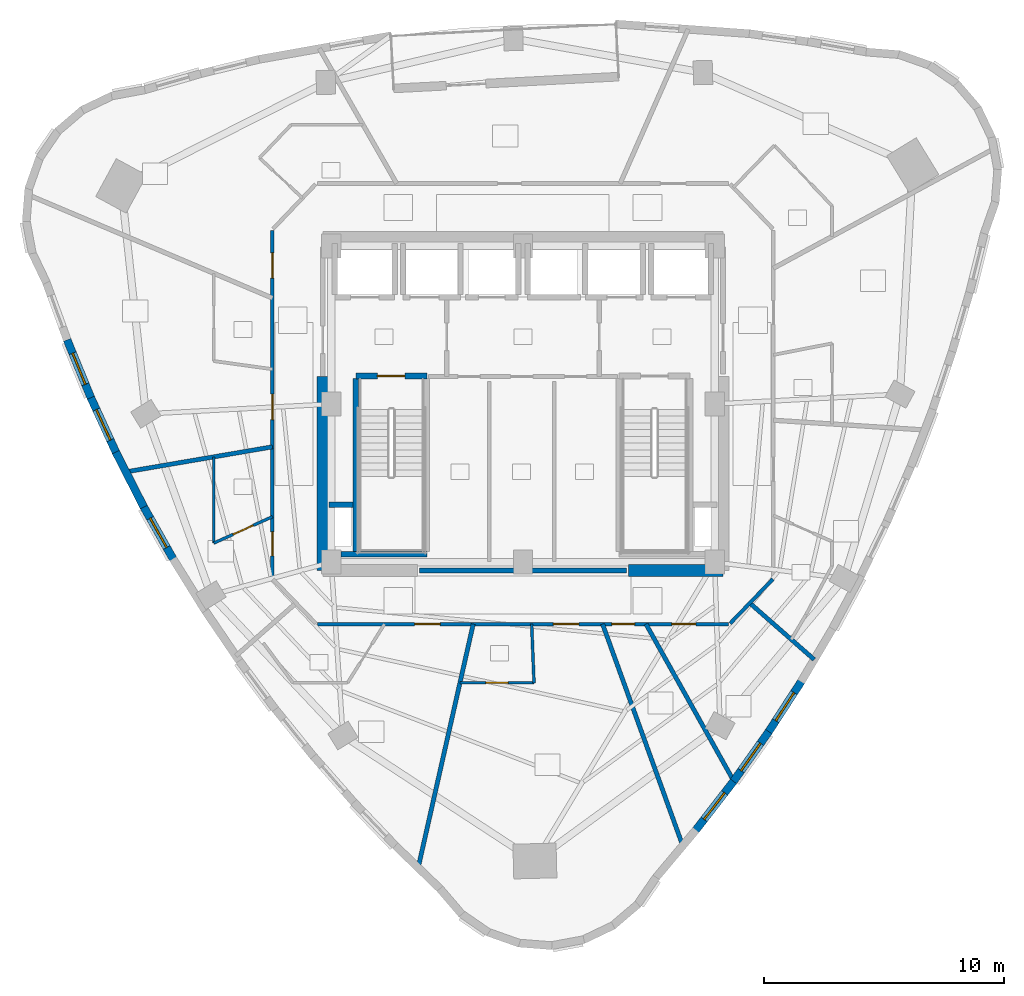
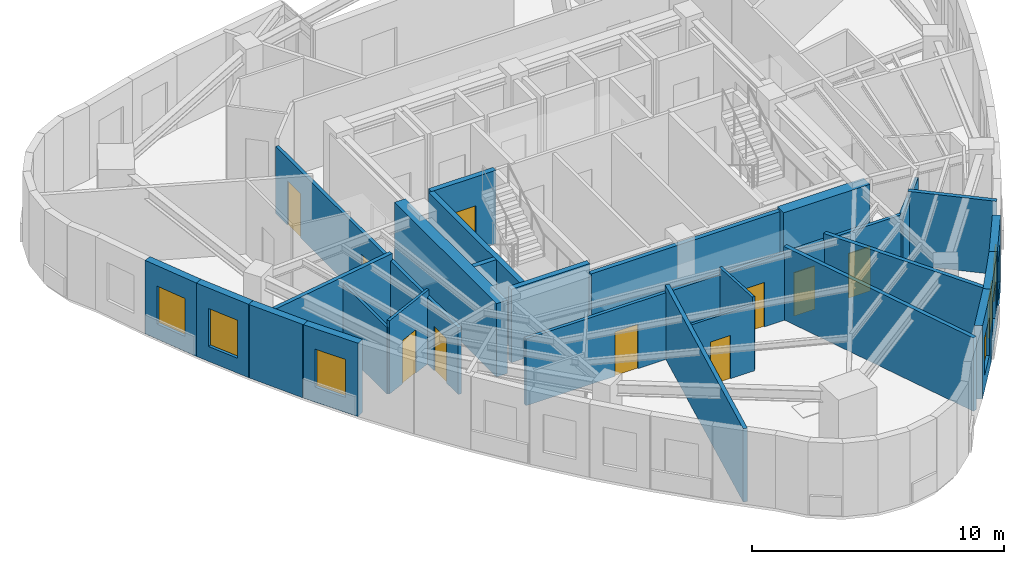
# One storey, part 5 of 11: 26 walls, 10 doors, 6 windows, 16 openings.
"""IFC4 building model written with IfcOpenShell, lengths in metres."""

from ifc_helpers import new_model, si_unit, direction, frame, frame_2d, origin, place, context, subcontext, project, spatial, rectangle, extrude, material, layer, layer_set, type_object, element, fill, save


model = new_model("IFC4")

# Units and contexts
model_context = context("Model", 3, precision=1e-05, world=origin(), true_north=direction((0.0, 1.0)))
body_context = subcontext(model_context, "Body", "Model", "MODEL_VIEW")
ifc_project = project(units=[si_unit("LENGTHUNIT", "METRE"), si_unit("AREAUNIT", "SQUARE_METRE"), si_unit("VOLUMEUNIT", "CUBIC_METRE"), si_unit("PLANEANGLEUNIT", "RADIAN"), si_unit("MASSUNIT", "GRAM", prefix="KILO")], contexts=[model_context])

# Site, building, storey
site_placement = place(None, origin())
site = spatial("IfcSite", under=ifc_project, at=site_placement, CompositionType="ELEMENT")
building_placement = place(site_placement, origin())
building = spatial("IfcBuilding", under=site, at=building_placement, Name="Ndelora Gate Hotel", CompositionType="ELEMENT")
storey_placement = place(building_placement, frame((0.0, 0.0, 224.550048828125)))
storey = spatial("IfcBuildingStorey", under=building, at=storey_placement, Name="L56", CompositionType="ELEMENT", Elevation=224.550048828125)

# Walls
ifc_material_1 = material(Name="Acoustic Double-Stud Gypsum Assembly", Category="gypsum")
ifc_layer_1 = layer(ifc_material_1, 0.179931640625)
ifc_layer_set_1 = layer_set([ifc_layer_1], Name="Acoustic Double-Stud Gypsum Assembly")
wall_type_1 = type_object("IfcWallType", Name="WL-ACOUST-180", PredefinedType="PARTITIONING", material=ifc_layer_set_1)
wall_1_placement = place(storey_placement, frame((9.464111328125, -8.3037109375, 0.0), z_axis=(0.0, 0.0, 1.0), x_axis=(0.751709245101, -0.659494663231, 0.0)))
element("IfcWall", 1, at=wall_1_placement, inside=storey, type_object=wall_type_1, Name="L56 Interior Wall IW-3", PredefinedType="PARTITIONING", context=body_context, shape_type="SweptSolid", body=[
    extrude(rectangle(XDim=3.576904296875, YDim=0.179931640625, at=frame_2d((1.78857421875, 0.0))), origin(), (0.0, 0.0, 1.0), 3.550048828125),
])
wall_2_placement = place(storey_placement, frame((-10.449951171875, -1.7861328125, 0.0), z_axis=(0.0, 0.0, 1.0), x_axis=(-0.985707903362, -0.168463435946, 0.0)))
element("IfcWall", 2, at=wall_2_placement, inside=storey, type_object=wall_type_1, Name="L56 Interior Wall IW-3", PredefinedType="PARTITIONING", context=body_context, shape_type="SweptSolid", body=[
    extrude(rectangle(XDim=6.20263671875, YDim=0.179931640625, at=frame_2d((3.101318359375, 0.0))), origin(), (0.0, 0.0, 1.0), 3.550048828125),
])
wall_3_placement = place(storey_placement, frame((-2.073486328125, -9.179931640625, 0.0), z_axis=(0.0, 0.0, 1.0), x_axis=(-0.220339233084, -0.975423304194, 0.0)))
element("IfcWall", 3, at=wall_3_placement, inside=storey, type_object=wall_type_1, Name="L56 Interior Wall IW-3", PredefinedType="PARTITIONING", context=body_context, shape_type="SweptSolid", body=[
    extrude(rectangle(XDim=10.423095703125, YDim=0.179931640625, at=frame_2d((5.21142578125, 0.0))), origin(), (0.0, 0.0, 1.0), 3.550048828125),
])
wall_4_placement = place(storey_placement, frame((3.322021484375, -9.179931640625, 0.0), z_axis=(0.0, 0.0, 1.0), x_axis=(0.340249588168, -0.940335162456, 0.0)))
element("IfcWall", 4, at=wall_4_placement, inside=storey, type_object=wall_type_1, Name="L56 Interior Wall IW-3", PredefinedType="PARTITIONING", context=body_context, shape_type="SweptSolid", body=[
    extrude(rectangle(XDim=9.833740234375, YDim=0.179931640625, at=frame_2d((4.9169921875, 0.0))), origin(), (0.0, 0.0, 1.0), 3.550048828125),
])
wall_5_placement = place(storey_placement, frame((5.13330078125, -9.179931640625, 0.0), z_axis=(0.0, 0.0, 1.0), x_axis=(0.488070082924, -0.872804442103, 0.0)))
element("IfcWall", 5, at=wall_5_placement, inside=storey, type_object=wall_type_1, Name="L56 Interior Wall IW-3", PredefinedType="PARTITIONING", context=body_context, shape_type="SweptSolid", body=[
    extrude(rectangle(XDim=7.501220703125, YDim=0.179931640625, at=frame_2d((3.75048828125, 0.0))), origin(), (0.0, 0.0, 1.0), 3.550048828125),
])

# Wall, opening, window
ifc_material_2 = material(Name="Clay Brick Masonry", Category="masonry")
ifc_layer_2 = layer(ifc_material_2, 0.330078125)
ifc_layer_set_2 = layer_set([ifc_layer_2], Name="Clay Brick Masonry")
wall_type_2 = type_object("IfcWallType", Name="WL-BRICK-330", PredefinedType="SOLIDWALL", material=ifc_layer_set_2)
wall_6_placement = place(storey_placement, frame((-18.025390625, 0.2626953125, 0.0), z_axis=(0.0, 0.0, 1.0), x_axis=(-0.379601522234, 0.925150087455, 0.0)))
wall_6 = element("IfcWall", 6, at=wall_6_placement, inside=storey, type_object=wall_type_2, Name="L56 Tower Brick Pier-and-Spandrel Wall TWR-10", PredefinedType="SOLIDWALL", context=body_context, shape_type="SweptSolid", body=[
    extrude(rectangle(XDim=2.60986328125, YDim=0.330078125, at=frame_2d((1.304931640625, 0.0))), origin(), (0.0, 0.0, 1.0), 3.550048828125),
])
opening_1_placement = place(wall_6_placement, frame((0.60498046875, 0.0, 0.719970703125)))
opening_1 = element("IfcOpeningElement", 7, at=opening_1_placement, cuts=wall_6, Name="Opening W02", PredefinedType="OPENING", context=body_context, shape_type="SweptSolid", body=[
    extrude(rectangle(XDim=1.39990234375, YDim=1.840087890625, at=frame_2d((0.699951171875, 0.919921875))), frame((0.0, 0.175048828125, 0.0), z_axis=(0.0, -1.0, 0.0), x_axis=(1.0, 0.0, 0.0)), (0.0, 0.0, 1.0), 0.35009765625),
])
ifc_material_3 = material(Name="Insulated Low-E Double Glazing in Bronze Aluminium Frame", Category="aluminium")
window_type = type_object("IfcWindowType", Name="WN-DEEP-1400", PartitioningType="SINGLE_PANEL", PredefinedType="WINDOW", material=ifc_material_3)
window_1_placement = place(opening_1_placement, origin())
window_1 = element("IfcWindow", 8, at=window_1_placement, inside=storey, type_object=window_type, Name="L56 Deep-Set Brick-Pier Window W02", OverallHeight=1.840087890625, OverallWidth=1.39990234375, PartitioningType="SINGLE_PANEL", PredefinedType="WINDOW", context=body_context, shape_type="SweptSolid", body=[
    extrude(rectangle(XDim=1.39990234375, YDim=1.840087890625, at=frame_2d((0.699951171875, 0.919921875))), frame((0.0, 0.030029296875, 0.0), z_axis=(0.0, -1.0, 0.0), x_axis=(1.0, 0.0, 0.0)), (0.0, 0.0, 1.0), 0.06005859375),
])
fill(opening_1, window_1)

wall_7_placement = place(storey_placement, frame((-16.96435546875, -2.0478515625, 0.0), z_axis=(0.0, 0.0, 1.0), x_axis=(-0.41697893771, 0.908916148776, 0.0)))
wall_7 = element("IfcWall", 9, at=wall_7_placement, inside=storey, type_object=wall_type_2, Name="L56 Tower Brick Pier-and-Spandrel Wall TWR-11", PredefinedType="SOLIDWALL", context=body_context, shape_type="SweptSolid", body=[
    extrude(rectangle(XDim=2.592529296875, YDim=0.330078125, at=frame_2d((1.29638671875, 0.0))), origin(), (0.0, 0.0, 1.0), 3.550048828125),
])
opening_2_placement = place(wall_7_placement, frame((0.59619140625, 0.0, 0.719970703125)))
opening_2 = element("IfcOpeningElement", 10, at=opening_2_placement, cuts=wall_7, Name="Opening W02", PredefinedType="OPENING", context=body_context, shape_type="SweptSolid", body=[
    extrude(rectangle(XDim=1.39990234375, YDim=1.840087890625, at=frame_2d((0.699951171875, 0.919921875))), frame((0.0, 0.175048828125, 0.0), z_axis=(0.0, -1.0, 0.0), x_axis=(1.0, 0.0, 0.0)), (0.0, 0.0, 1.0), 0.35009765625),
])
window_2_placement = place(opening_2_placement, origin())
window_2 = element("IfcWindow", 11, at=window_2_placement, inside=storey, type_object=window_type, Name="L56 Deep-Set Brick-Pier Window W02", OverallHeight=1.840087890625, OverallWidth=1.39990234375, PartitioningType="SINGLE_PANEL", PredefinedType="WINDOW", context=body_context, shape_type="SweptSolid", body=[
    extrude(rectangle(XDim=1.39990234375, YDim=1.840087890625, at=frame_2d((0.699951171875, 0.919921875))), frame((0.0, 0.030029296875, 0.0), z_axis=(0.0, -1.0, 0.0), x_axis=(1.0, 0.0, 0.0)), (0.0, 0.0, 1.0), 0.06005859375),
])
fill(opening_2, window_2)

# Wall
wall_8_placement = place(storey_placement, frame((-15.814453125, -4.30078125, 0.0), z_axis=(0.0, 0.0, 1.0), x_axis=(-0.454203650024, 0.890897886576, 0.0)))
element("IfcWall", 12, at=wall_8_placement, inside=storey, type_object=wall_type_2, Name="L56 Tower Brick Pier-and-Spandrel Wall TWR-12", PredefinedType="SOLIDWALL", context=body_context, shape_type="SweptSolid", body=[
    extrude(rectangle(XDim=2.57958984375, YDim=0.330078125, at=frame_2d((1.289794921875, 0.0))), origin(), (0.0, 0.0, 1.0), 3.550048828125),
])

# Wall, opening, window
wall_9_placement = place(storey_placement, frame((-14.576416015625, -6.496337890625, 0.0), z_axis=(0.0, 0.0, 1.0), x_axis=(-0.490851857412, 0.871243051091, 0.0)))
wall_9 = element("IfcWall", 13, at=wall_9_placement, inside=storey, type_object=wall_type_2, Name="L56 Tower Brick Pier-and-Spandrel Wall TWR-13", PredefinedType="SOLIDWALL", context=body_context, shape_type="SweptSolid", body=[
    extrude(rectangle(XDim=2.570556640625, YDim=0.330078125, at=frame_2d((1.28515625, 0.0))), origin(), (0.0, 0.0, 1.0), 3.550048828125),
])
opening_3_placement = place(wall_9_placement, frame((0.585205078125, 0.0, 0.719970703125)))
opening_3 = element("IfcOpeningElement", 14, at=opening_3_placement, cuts=wall_9, Name="Opening W02", PredefinedType="OPENING", context=body_context, shape_type="SweptSolid", body=[
    extrude(rectangle(XDim=1.39990234375, YDim=1.840087890625, at=frame_2d((0.699951171875, 0.919921875))), frame((0.0, 0.175048828125, 0.0), z_axis=(0.0, -1.0, 0.0), x_axis=(1.0, 0.0, 0.0)), (0.0, 0.0, 1.0), 0.35009765625),
])
window_3_placement = place(opening_3_placement, origin())
window_3 = element("IfcWindow", 15, at=window_3_placement, inside=storey, type_object=window_type, Name="L56 Deep-Set Brick-Pier Window W02", OverallHeight=1.840087890625, OverallWidth=1.39990234375, PartitioningType="SINGLE_PANEL", PredefinedType="WINDOW", context=body_context, shape_type="SweptSolid", body=[
    extrude(rectangle(XDim=1.39990234375, YDim=1.840087890625, at=frame_2d((0.699951171875, 0.919921875))), frame((0.0, 0.030029296875, 0.0), z_axis=(0.0, -1.0, 0.0), x_axis=(1.0, 0.0, 0.0)), (0.0, 0.0, 1.0), 0.06005859375),
])
fill(opening_3, window_3)

wall_10_placement = place(storey_placement, frame((8.78515625, -15.74169921875, 0.0), z_axis=(0.0, 0.0, 1.0), x_axis=(-0.611372957331, -0.791342597769, 0.0)))
wall_10 = element("IfcWall", 16, at=wall_10_placement, inside=storey, type_object=wall_type_2, Name="L56 Tower Brick Pier-and-Spandrel Wall TWR-30", PredefinedType="SOLIDWALL", context=body_context, shape_type="SweptSolid", body=[
    extrude(rectangle(XDim=2.610107421875, YDim=0.330078125, at=frame_2d((1.30517578125, 0.0))), origin(), (0.0, 0.0, 1.0), 3.550048828125),
])
opening_4_placement = place(wall_10_placement, frame((0.60498046875, 0.0, 0.719970703125)))
opening_4 = element("IfcOpeningElement", 17, at=opening_4_placement, cuts=wall_10, Name="Opening W02", PredefinedType="OPENING", context=body_context, shape_type="SweptSolid", body=[
    extrude(rectangle(XDim=1.39990234375, YDim=1.840087890625, at=frame_2d((0.699951171875, 0.919921875))), frame((0.0, 0.175048828125, 0.0), z_axis=(0.0, -1.0, 0.0), x_axis=(1.0, 0.0, 0.0)), (0.0, 0.0, 1.0), 0.35009765625),
])
window_4_placement = place(opening_4_placement, origin())
window_4 = element("IfcWindow", 18, at=window_4_placement, inside=storey, type_object=window_type, Name="L56 Deep-Set Brick-Pier Window W02", OverallHeight=1.840087890625, OverallWidth=1.39990234375, PartitioningType="SINGLE_PANEL", PredefinedType="WINDOW", context=body_context, shape_type="SweptSolid", body=[
    extrude(rectangle(XDim=1.39990234375, YDim=1.840087890625, at=frame_2d((0.699951171875, 0.919921875))), frame((0.0, 0.030029296875, 0.0), z_axis=(0.0, -1.0, 0.0), x_axis=(1.0, 0.0, 0.0)), (0.0, 0.0, 1.0), 0.06005859375),
])
fill(opening_4, window_4)

wall_11_placement = place(storey_placement, frame((10.255615234375, -13.66748046875, 0.0), z_axis=(0.0, 0.0, 1.0), x_axis=(-0.578652053692, -0.815574521891, 0.0)))
wall_11 = element("IfcWall", 19, at=wall_11_placement, inside=storey, type_object=wall_type_2, Name="L56 Tower Brick Pier-and-Spandrel Wall TWR-31", PredefinedType="SOLIDWALL", context=body_context, shape_type="SweptSolid", body=[
    extrude(rectangle(XDim=2.5927734375, YDim=0.330078125, at=frame_2d((1.29638671875, 0.0))), origin(), (0.0, 0.0, 1.0), 3.550048828125),
])
opening_5_placement = place(wall_11_placement, frame((0.59619140625, 0.0, 0.719970703125)))
opening_5 = element("IfcOpeningElement", 20, at=opening_5_placement, cuts=wall_11, Name="Opening W02", PredefinedType="OPENING", context=body_context, shape_type="SweptSolid", body=[
    extrude(rectangle(XDim=1.39990234375, YDim=1.840087890625, at=frame_2d((0.699951171875, 0.919921875))), frame((0.0, 0.175048828125, 0.0), z_axis=(0.0, -1.0, 0.0), x_axis=(1.0, 0.0, 0.0)), (0.0, 0.0, 1.0), 0.35009765625),
])
window_5_placement = place(opening_5_placement, origin())
window_5 = element("IfcWindow", 21, at=window_5_placement, inside=storey, type_object=window_type, Name="L56 Deep-Set Brick-Pier Window W02", OverallHeight=1.840087890625, OverallWidth=1.39990234375, PartitioningType="SINGLE_PANEL", PredefinedType="WINDOW", context=body_context, shape_type="SweptSolid", body=[
    extrude(rectangle(XDim=1.39990234375, YDim=1.840087890625, at=frame_2d((0.699951171875, 0.919921875))), frame((0.0, 0.030029296875, 0.0), z_axis=(0.0, -1.0, 0.0), x_axis=(1.0, 0.0, 0.0)), (0.0, 0.0, 1.0), 0.06005859375),
])
fill(opening_5, window_5)

wall_12_placement = place(storey_placement, frame((11.6318359375, -11.54541015625, 0.0), z_axis=(0.0, 0.0, 1.0), x_axis=(-0.544435959457, -0.838802411805, 0.0)))
wall_12 = element("IfcWall", 22, at=wall_12_placement, inside=storey, type_object=wall_type_2, Name="L56 Tower Brick Pier-and-Spandrel Wall TWR-32", PredefinedType="SOLIDWALL", context=body_context, shape_type="SweptSolid", body=[
    extrude(rectangle(XDim=2.579345703125, YDim=0.330078125, at=frame_2d((1.28955078125, 0.0))), origin(), (0.0, 0.0, 1.0), 3.550048828125),
])
opening_6_placement = place(wall_12_placement, frame((0.589599609375, 0.0, 0.719970703125)))
opening_6 = element("IfcOpeningElement", 23, at=opening_6_placement, cuts=wall_12, Name="Opening W02", PredefinedType="OPENING", context=body_context, shape_type="SweptSolid", body=[
    extrude(rectangle(XDim=1.39990234375, YDim=1.840087890625, at=frame_2d((0.699951171875, 0.919921875))), frame((0.0, 0.175048828125, 0.0), z_axis=(0.0, -1.0, 0.0), x_axis=(1.0, 0.0, 0.0)), (0.0, 0.0, 1.0), 0.35009765625),
])
window_6_placement = place(opening_6_placement, origin())
window_6 = element("IfcWindow", 24, at=window_6_placement, inside=storey, type_object=window_type, Name="L56 Deep-Set Brick-Pier Window W02", OverallHeight=1.840087890625, OverallWidth=1.39990234375, PartitioningType="SINGLE_PANEL", PredefinedType="WINDOW", context=body_context, shape_type="SweptSolid", body=[
    extrude(rectangle(XDim=1.39990234375, YDim=1.840087890625, at=frame_2d((0.699951171875, 0.919921875))), frame((0.0, 0.030029296875, 0.0), z_axis=(0.0, -1.0, 0.0), x_axis=(1.0, 0.0, 0.0)), (0.0, 0.0, 1.0), 0.06005859375),
])
fill(opening_6, window_6)

# Walls
ifc_material_4 = material(Name="Concrete C50/60", Category="concrete")
ifc_layer_3 = layer(ifc_material_4, 0.5)
ifc_layer_set_3 = layer_set([ifc_layer_3], Name="Concrete C50/60")
wall_type_3 = type_object("IfcWallType", Name="WL-CORE-500", PredefinedType="SHEAR", material=ifc_layer_set_3)
wall_13_placement = place(storey_placement, frame((4.39990234375, -6.949951171875, 0.0), z_axis=(0.0, 0.0, 1.0), x_axis=(1.0, 0.0, 0.0)))
element("IfcWall", 25, at=wall_13_placement, inside=storey, type_object=wall_type_3, Name="L56 Core Shear Wall S-E", PredefinedType="SHEAR", context=body_context, shape_type="SweptSolid", body=[
    extrude(rectangle(XDim=3.9501953125, YDim=0.5, at=frame_2d((1.97509765625, 0.0))), origin(), (0.0, 0.0, 1.0), 3.550048828125),
])
wall_14_placement = place(storey_placement, frame((-8.35009765625, -6.949951171875, 0.0), z_axis=(0.0, 0.0, 1.0), x_axis=(0.0, 1.0, 0.0)))
element("IfcWall", 26, at=wall_14_placement, inside=storey, type_object=wall_type_3, Name="L56 Core Shear Wall W", PredefinedType="SHEAR", context=body_context, shape_type="SweptSolid", body=[
    extrude(rectangle(XDim=8.099853515625, YDim=0.5, at=frame_2d((4.0498046875, 0.0))), origin(), (0.0, 0.0, 1.0), 3.550048828125),
])
ifc_material_5 = material(Name="Concrete C40/50", Category="concrete")
ifc_layer_4 = layer(ifc_material_5, 0.199951171875)
ifc_layer_set_4 = layer_set([ifc_layer_4], Name="Concrete C40/50")
wall_type_4 = type_object("IfcWallType", Name="WL-FIRE-200", PredefinedType="PARTITIONING", material=ifc_layer_set_4)
wall_15_placement = place(storey_placement, frame((-4.320068359375, -6.949951171875, 0.0), z_axis=(0.0, 0.0, 1.0), x_axis=(1.0, 0.0, 0.0)))
element("IfcWall", 27, at=wall_15_placement, inside=storey, type_object=wall_type_4, Name="L56 Interior Wall IW-2", PredefinedType="PARTITIONING", context=body_context, shape_type="SweptSolid", body=[
    extrude(rectangle(XDim=8.64013671875, YDim=0.199951171875, at=frame_2d((4.320068359375, 0.0))), origin(), (0.0, 0.0, 1.0), 3.550048828125),
])

# Wall, openings, doors
ifc_material_6 = material(Name="Fire-Rated Gypsum Stud Partition", Category="gypsum")
ifc_layer_5 = layer(ifc_material_6, 0.14990234375)
ifc_layer_set_5 = layer_set([ifc_layer_5], Name="Fire-Rated Gypsum Stud Partition")
wall_type_5 = type_object("IfcWallType", Name="WL-PART-150", PredefinedType="PARTITIONING", material=ifc_layer_set_5)
wall_16_placement = place(storey_placement, frame((8.580078125, -9.179931640625, 0.0), z_axis=(0.0, 0.0, 1.0), x_axis=(-1.0, 0.0, 0.0)))
wall_16 = element("IfcWall", 28, at=wall_16_placement, inside=storey, type_object=wall_type_5, Name="L56 Interior Wall IW-5", PredefinedType="PARTITIONING", context=body_context, shape_type="SweptSolid", body=[
    extrude(rectangle(XDim=17.16015625, YDim=0.14990234375, at=frame_2d((8.580078125, 0.0))), origin(), (0.0, 0.0, 1.0), 3.22998046875),
])
opening_7_placement = place(wall_16_placement, frame((3.91552734375, 0.0, 0.0)))
opening_7 = element("IfcOpeningElement", 29, at=opening_7_placement, cuts=wall_16, Name="Opening D05", PredefinedType="OPENING", context=body_context, shape_type="SweptSolid", body=[
    extrude(rectangle(XDim=0.949951171875, YDim=2.10009765625, at=frame_2d((0.47509765625, 1.050048828125))), frame((0.0, 0.0849609375, 0.0), z_axis=(0.0, -1.0, 0.0), x_axis=(1.0, 0.0, 0.0)), (0.0, 0.0, 1.0), 0.169921875),
])
opening_8_placement = place(wall_16_placement, frame((1.36328125, 0.0, 0.0)))
opening_8 = element("IfcOpeningElement", 30, at=opening_8_placement, cuts=wall_16, Name="Opening D01", PredefinedType="OPENING", context=body_context, shape_type="SweptSolid", body=[
    extrude(rectangle(XDim=1.0, YDim=2.14990234375, at=frame_2d((0.5, 1.074951171875))), frame((0.0, 0.0849609375, 0.0), z_axis=(0.0, -1.0, 0.0), x_axis=(1.0, 0.0, 0.0)), (0.0, 0.0, 1.0), 0.169921875),
])
opening_9_placement = place(wall_16_placement, frame((12.0380859375, 0.0, 0.0)))
opening_9 = element("IfcOpeningElement", 31, at=opening_9_placement, cuts=wall_16, Name="Opening D07", PredefinedType="OPENING", context=body_context, shape_type="SweptSolid", body=[
    extrude(rectangle(XDim=1.06005859375, YDim=2.14990234375, at=frame_2d((0.530029296875, 1.074951171875))), frame((0.0, 0.0849609375, 0.0), z_axis=(0.0, -1.0, 0.0), x_axis=(1.0, 0.0, 0.0)), (0.0, 0.0, 1.0), 0.169921875),
])
opening_10_placement = place(wall_16_placement, frame((6.250732421875, 0.0, 0.0)))
opening_10 = element("IfcOpeningElement", 32, at=opening_10_placement, cuts=wall_16, Name="Opening D07", PredefinedType="OPENING", context=body_context, shape_type="SweptSolid", body=[
    extrude(rectangle(XDim=1.06005859375, YDim=2.14990234375, at=frame_2d((0.530029296875, 1.074951171875))), frame((0.0, 0.0849609375, 0.0), z_axis=(0.0, -1.0, 0.0), x_axis=(1.0, 0.0, 0.0)), (0.0, 0.0, 1.0), 0.169921875),
])
ifc_material_7 = material(Name="Accessible Restroom Wide-Clearance Door", Category="wood")
door_type_1 = type_object("IfcDoorType", Name="DR-ACC-950", OperationType="SINGLE_SWING_LEFT", PredefinedType="DOOR", material=ifc_material_7)
door_1_placement = place(opening_7_placement, origin())
door_1 = element("IfcDoor", 33, at=door_1_placement, inside=storey, type_object=door_type_1, Name="L56 Male Public Restroom Entrance Door", OperationType="SINGLE_SWING_RIGHT", OverallHeight=2.10009765625, OverallWidth=0.949951171875, PredefinedType="DOOR", context=body_context, shape_type="SweptSolid", body=[
    extrude(rectangle(XDim=0.949951171875, YDim=2.10009765625, at=frame_2d((0.47509765625, 1.050048828125))), frame((0.0, 0.02490234375, 0.0), z_axis=(0.0, -1.0, 0.0), x_axis=(1.0, 0.0, 0.0)), (0.0, 0.0, 1.0), 0.050048828125),
])
fill(opening_7, door_1)
ifc_material_8 = material(Name="Acoustic Hardwood Guest Entrance Door", Category="wood")
door_type_2 = type_object("IfcDoorType", Name="DR-COR-1000", OperationType="SINGLE_SWING_LEFT", PredefinedType="DOOR", material=ifc_material_8)
door_2_placement = place(opening_8_placement, origin())
door_2 = element("IfcDoor", 34, at=door_2_placement, inside=storey, type_object=door_type_2, Name="L56 Housekeeping and Linen Room Entrance Door", OperationType="SINGLE_SWING_RIGHT", OverallHeight=2.14990234375, OverallWidth=1.0, PredefinedType="DOOR", context=body_context, shape_type="SweptSolid", body=[
    extrude(rectangle(XDim=1.0, YDim=2.14990234375, at=frame_2d((0.5, 1.074951171875))), frame((0.0, 0.02490234375, 0.0), z_axis=(0.0, -1.0, 0.0), x_axis=(1.0, 0.0, 0.0)), (0.0, 0.0, 1.0), 0.050048828125),
])
fill(opening_8, door_2)
ifc_material_9 = material(Name="Diplomatic Suite Acoustic Entrance Door", Category="wood")
door_type_3 = type_object("IfcDoorType", Name="DR-SUITE-1060", OperationType="SINGLE_SWING_LEFT", PredefinedType="DOOR", material=ifc_material_9)
door_3_placement = place(opening_9_placement, origin())
door_3 = element("IfcDoor", 35, at=door_3_placement, inside=storey, type_object=door_type_3, Name="L56 Corner Horizon Suite 5907 Entrance Door", OperationType="SINGLE_SWING_RIGHT", OverallHeight=2.14990234375, OverallWidth=1.06005859375, PredefinedType="DOOR", context=body_context, shape_type="SweptSolid", body=[
    extrude(rectangle(XDim=1.06005859375, YDim=2.14990234375, at=frame_2d((0.530029296875, 1.074951171875))), frame((0.0, 0.02490234375, 0.0), z_axis=(0.0, -1.0, 0.0), x_axis=(1.0, 0.0, 0.0)), (0.0, 0.0, 1.0), 0.050048828125),
])
fill(opening_9, door_3)
door_4_placement = place(opening_10_placement, origin())
door_4 = element("IfcDoor", 36, at=door_4_placement, inside=storey, type_object=door_type_3, Name="L56 Altitude Club Junior Suite 5908 Entrance Door", OperationType="SINGLE_SWING_RIGHT", OverallHeight=2.14990234375, OverallWidth=1.06005859375, PredefinedType="DOOR", context=body_context, shape_type="SweptSolid", body=[
    extrude(rectangle(XDim=1.06005859375, YDim=2.14990234375, at=frame_2d((0.530029296875, 1.074951171875))), frame((0.0, 0.02490234375, 0.0), z_axis=(0.0, -1.0, 0.0), x_axis=(1.0, 0.0, 0.0)), (0.0, 0.0, 1.0), 0.050048828125),
])
fill(opening_10, door_4)

# Wall
wall_17_placement = place(storey_placement, frame((10.42236328125, -7.308837890625, 0.0), z_axis=(0.0, 0.0, 1.0), x_axis=(-0.693764562202, -0.720201869085, 0.0)))
element("IfcWall", 37, at=wall_17_placement, inside=storey, type_object=wall_type_5, Name="L56 Interior Wall IW-5", PredefinedType="PARTITIONING", context=body_context, shape_type="SweptSolid", body=[
    extrude(rectangle(XDim=2.55810546875, YDim=0.14990234375, at=frame_2d((1.279052734375, 0.0))), origin(), (0.0, 0.0, 1.0), 3.22998046875),
])

# Wall, openings, doors
wall_18_placement = place(storey_placement, frame((-10.449951171875, -7.239990234375, 0.0), z_axis=(0.0, 0.0, 1.0), x_axis=(0.0, 1.0, 0.0)))
wall_18 = element("IfcWall", 38, at=wall_18_placement, inside=storey, type_object=wall_type_5, Name="L56 Interior Wall IW-5", PredefinedType="PARTITIONING", context=body_context, shape_type="SweptSolid", body=[
    extrude(rectangle(XDim=14.47998046875, YDim=0.14990234375, at=frame_2d((7.239990234375, 0.0))), origin(), (0.0, 0.0, 1.0), 3.22998046875),
])
opening_11_placement = place(wall_18_placement, frame((0.9091796875, 0.0, 0.0)))
opening_11 = element("IfcOpeningElement", 39, at=opening_11_placement, cuts=wall_18, Name="Opening D01", PredefinedType="OPENING", context=body_context, shape_type="SweptSolid", body=[
    extrude(rectangle(XDim=1.0, YDim=2.14990234375, at=frame_2d((0.5, 1.074951171875))), frame((0.0, 0.0849609375, 0.0), z_axis=(0.0, -1.0, 0.0), x_axis=(1.0, 0.0, 0.0)), (0.0, 0.0, 1.0), 0.169921875),
])
opening_12_placement = place(wall_18_placement, frame((6.592529296875, 0.0, 0.0)))
opening_12 = element("IfcOpeningElement", 40, at=opening_12_placement, cuts=wall_18, Name="Opening D07", PredefinedType="OPENING", context=body_context, shape_type="SweptSolid", body=[
    extrude(rectangle(XDim=1.06005859375, YDim=2.14990234375, at=frame_2d((0.530029296875, 1.074951171875))), frame((0.0, 0.0849609375, 0.0), z_axis=(0.0, -1.0, 0.0), x_axis=(1.0, 0.0, 0.0)), (0.0, 0.0, 1.0), 0.169921875),
])
opening_13_placement = place(wall_18_placement, frame((12.489501953125, 0.0, 0.0)))
opening_13 = element("IfcOpeningElement", 41, at=opening_13_placement, cuts=wall_18, Name="Opening D07", PredefinedType="OPENING", context=body_context, shape_type="SweptSolid", body=[
    extrude(rectangle(XDim=1.06005859375, YDim=2.14990234375, at=frame_2d((0.530029296875, 1.074951171875))), frame((0.0, 0.0849609375, 0.0), z_axis=(0.0, -1.0, 0.0), x_axis=(1.0, 0.0, 0.0)), (0.0, 0.0, 1.0), 0.169921875),
])
door_5_placement = place(opening_11_placement, origin())
door_5 = element("IfcDoor", 42, at=door_5_placement, inside=storey, type_object=door_type_2, Name="L56 Altitude Superior Guest Room 5906 Entrance Door", OperationType="SINGLE_SWING_LEFT", OverallHeight=2.14990234375, OverallWidth=1.0, PredefinedType="DOOR", context=body_context, shape_type="SweptSolid", body=[
    extrude(rectangle(XDim=1.0, YDim=2.14990234375, at=frame_2d((0.5, 1.074951171875))), frame((0.0, 0.02490234375, 0.0), z_axis=(0.0, -1.0, 0.0), x_axis=(1.0, 0.0, 0.0)), (0.0, 0.0, 1.0), 0.050048828125),
])
fill(opening_11, door_5)
door_6_placement = place(opening_12_placement, origin())
door_6 = element("IfcDoor", 43, at=door_6_placement, inside=storey, type_object=door_type_3, Name="L56 Executive Sky Suite 5905 Entrance Door", OperationType="SINGLE_SWING_LEFT", OverallHeight=2.14990234375, OverallWidth=1.06005859375, PredefinedType="DOOR", context=body_context, shape_type="SweptSolid", body=[
    extrude(rectangle(XDim=1.06005859375, YDim=2.14990234375, at=frame_2d((0.530029296875, 1.074951171875))), frame((0.0, 0.02490234375, 0.0), z_axis=(0.0, -1.0, 0.0), x_axis=(1.0, 0.0, 0.0)), (0.0, 0.0, 1.0), 0.050048828125),
])
fill(opening_12, door_6)
door_7_placement = place(opening_13_placement, origin())
door_7 = element("IfcDoor", 44, at=door_7_placement, inside=storey, type_object=door_type_3, Name="L56 South Diplomatic Suite 5904 Entrance Door", OperationType="SINGLE_SWING_RIGHT", OverallHeight=2.14990234375, OverallWidth=1.06005859375, PredefinedType="DOOR", context=body_context, shape_type="SweptSolid", body=[
    extrude(rectangle(XDim=1.06005859375, YDim=2.14990234375, at=frame_2d((0.530029296875, 1.074951171875))), frame((0.0, 0.02490234375, 0.0), z_axis=(0.0, -1.0, 0.0), x_axis=(1.0, 0.0, 0.0)), (0.0, 0.0, 1.0), 0.050048828125),
])
fill(opening_13, door_7)

# Walls
ifc_layer_6 = layer(ifc_material_5, 0.219970703125)
ifc_layer_set_6 = layer_set([ifc_layer_6], Name="Concrete C40/50")
wall_type_6 = type_object("IfcWallType", Name="WL-SHAFT-220", PredefinedType="PARTITIONING", material=ifc_layer_set_6)
wall_19_placement = place(storey_placement, frame((-8.10009765625, -4.199951171875, 0.0), z_axis=(0.0, 0.0, 1.0), x_axis=(1.0, 0.0, 0.0)))
element("IfcWall", 45, at=wall_19_placement, inside=storey, type_object=wall_type_6, Name="L56 Interior Wall IW-1", PredefinedType="PARTITIONING", context=body_context, shape_type="SweptSolid", body=[
    extrude(rectangle(XDim=1.010009765625, YDim=0.219970703125, at=frame_2d((0.5048828125, 0.0))), origin(), (0.0, 0.0, 1.0), 3.550048828125),
])
ifc_layer_7 = layer(ifc_material_4, 0.239990234375)
ifc_layer_set_7 = layer_set([ifc_layer_7], Name="Concrete C50/60")
wall_type_7 = type_object("IfcWallType", Name="WL-STAIR-240", PredefinedType="SHEAR", material=ifc_layer_set_7)
wall_20_placement = place(storey_placement, frame((-6.969970703125, -6.159912109375, 0.0), z_axis=(0.0, 0.0, 1.0), x_axis=(0.0, 1.0, 0.0)))
element("IfcWall", 46, at=wall_20_placement, inside=storey, type_object=wall_type_7, Name="L56 Stair Core Shear Wall SW-ST", PredefinedType="SHEAR", context=body_context, shape_type="SweptSolid", body=[
    extrude(rectangle(XDim=7.219970703125, YDim=0.239990234375, at=frame_2d((3.60986328125, 0.0))), origin(), (0.0, 0.0, 1.0), 3.550048828125),
])
wall_21_placement = place(storey_placement, frame((-7.60009765625, -6.27001953125, 0.0), z_axis=(0.0, 0.0, 1.0), x_axis=(1.0, 0.0, 0.0)))
element("IfcWall", 47, at=wall_21_placement, inside=storey, type_object=wall_type_7, Name="L56 Stair Core Shear Wall SW-ST", PredefinedType="SHEAR", context=body_context, shape_type="SweptSolid", body=[
    extrude(rectangle(XDim=3.590087890625, YDim=0.239990234375, at=frame_2d((1.794921875, 0.0))), origin(), (0.0, 0.0, 1.0), 3.550048828125),
])

# Wall, opening, door
wall_22_placement = place(storey_placement, frame((-6.969970703125, 1.169921875, 0.0), z_axis=(0.0, 0.0, 1.0), x_axis=(1.0, 0.0, 0.0)))
wall_22 = element("IfcWall", 48, at=wall_22_placement, inside=storey, type_object=wall_type_7, Name="L56 Stair Core Shear Wall SW-ST", PredefinedType="SHEAR", context=body_context, shape_type="SweptSolid", body=[
    extrude(rectangle(XDim=2.9599609375, YDim=0.239990234375, at=frame_2d((1.47998046875, 0.0))), origin(), (0.0, 0.0, 1.0), 3.550048828125),
])
opening_14_placement = place(wall_22_placement, frame((0.89990234375, 0.0, 0.0)))
opening_14 = element("IfcOpeningElement", 49, at=opening_14_placement, cuts=wall_22, Name="Opening FD1", PredefinedType="OPENING", context=body_context, shape_type="SweptSolid", body=[
    extrude(rectangle(XDim=1.14990234375, YDim=2.14990234375, at=frame_2d((0.574951171875, 1.074951171875))), frame((0.0, 0.1298828125, 0.0), z_axis=(0.0, -1.0, 0.0), x_axis=(1.0, 0.0, 0.0)), (0.0, 0.0, 1.0), 0.260009765625),
])
ifc_material_10 = material(Name="Fire-Rated Timber-Veneer Steel Core", Category="steel")
door_type_4 = type_object("IfcDoorType", Name="DR-FD60", OperationType="SINGLE_SWING_LEFT", PredefinedType="DOOR", material=ifc_material_10)
door_8_placement = place(opening_14_placement, origin())
door_8 = element("IfcDoor", 50, at=door_8_placement, inside=storey, type_object=door_type_4, Name="L56 Exit Stair ST4 Door", OperationType="SINGLE_SWING_LEFT", OverallHeight=2.14990234375, OverallWidth=1.14990234375, PredefinedType="DOOR", context=body_context, shape_type="SweptSolid", body=[
    extrude(rectangle(XDim=1.14990234375, YDim=2.14990234375, at=frame_2d((0.574951171875, 1.074951171875))), frame((0.0, 0.02490234375, 0.0), z_axis=(0.0, -1.0, 0.0), x_axis=(1.0, 0.0, 0.0)), (0.0, 0.0, 1.0), 0.050048828125),
])
fill(opening_14, door_8)

ifc_material_11 = material(Name="Moisture-Resistant Bathroom Tile Partition", Category="gypsum")
ifc_layer_8 = layer(ifc_material_11, 0.1201171875)
ifc_layer_set_8 = layer_set([ifc_layer_8], Name="Moisture-Resistant Bathroom Tile Partition")
wall_type_8 = type_object("IfcWallType", Name="WL-WET-120", PredefinedType="PARTITIONING", material=ifc_layer_set_8)
wall_23_placement = place(storey_placement, frame((-10.449951171875, -4.700439453125, 0.0), z_axis=(0.0, 0.0, 1.0), x_axis=(-0.911981011606, -0.410232415186, 0.0)))
wall_23 = element("IfcWall", 51, at=wall_23_placement, inside=storey, type_object=wall_type_8, Name="L56 Interior Wall IW-7", PredefinedType="PARTITIONING", context=body_context, shape_type="SweptSolid", body=[
    extrude(rectangle(XDim=2.6865234375, YDim=0.1201171875, at=frame_2d((1.34326171875, 0.0))), origin(), (0.0, 0.0, 1.0), 3.550048828125),
])
opening_15_placement = place(wall_23_placement, frame((0.88330078125, 0.0, 0.0)))
opening_15 = element("IfcOpeningElement", 52, at=opening_15_placement, cuts=wall_23, Name="Opening D03", PredefinedType="OPENING", context=body_context, shape_type="SweptSolid", body=[
    extrude(rectangle(XDim=0.919921875, YDim=2.10009765625, at=frame_2d((0.4599609375, 1.050048828125))), frame((0.0, 0.070068359375, 0.0), z_axis=(0.0, -1.0, 0.0), x_axis=(1.0, 0.0, 0.0)), (0.0, 0.0, 1.0), 0.14013671875),
])
ifc_material_12 = material(Name="Moisture-Resistant Hardwood En-Suite Door", Category="wood")
door_type_5 = type_object("IfcDoorType", Name="DR-BATH-920", OperationType="SINGLE_SWING_LEFT", PredefinedType="DOOR", material=ifc_material_12)
door_9_placement = place(opening_15_placement, origin())
door_9 = element("IfcDoor", 53, at=door_9_placement, inside=storey, type_object=door_type_5, Name="L56 En-suite Bathroom 5906 Door", OperationType="SINGLE_SWING_LEFT", OverallHeight=2.10009765625, OverallWidth=0.919921875, PredefinedType="DOOR", context=body_context, shape_type="SweptSolid", body=[
    extrude(rectangle(XDim=0.919921875, YDim=2.10009765625, at=frame_2d((0.4599609375, 1.050048828125))), frame((0.0, 0.02490234375, 0.0), z_axis=(0.0, -1.0, 0.0), x_axis=(1.0, 0.0, 0.0)), (0.0, 0.0, 1.0), 0.050048828125),
])
fill(opening_15, door_9)

# Walls
wall_24_placement = place(storey_placement, frame((-12.89990234375, -2.204833984375, 0.0), z_axis=(0.0, 0.0, 1.0), x_axis=(0.0, -1.0, 0.0)))
element("IfcWall", 54, at=wall_24_placement, inside=storey, type_object=wall_type_8, Name="L56 Interior Wall IW-7", PredefinedType="PARTITIONING", context=body_context, shape_type="SweptSolid", body=[
    extrude(rectangle(XDim=3.59765625, YDim=0.1201171875, at=frame_2d((1.798828125, 0.0))), origin(), (0.0, 0.0, 1.0), 3.22998046875),
])
wall_25_placement = place(storey_placement, frame((0.364990234375, -9.179931640625, 0.0), z_axis=(0.0, 0.0, 1.0), x_axis=(0.039828859638, -0.999206516162, 0.0)))
element("IfcWall", 55, at=wall_25_placement, inside=storey, type_object=wall_type_8, Name="L56 Interior Wall IW-7", PredefinedType="PARTITIONING", context=body_context, shape_type="SweptSolid", body=[
    extrude(rectangle(XDim=2.451904296875, YDim=0.1201171875, at=frame_2d((1.22607421875, 0.0))), origin(), (0.0, 0.0, 1.0), 3.550048828125),
])

# Wall, opening, door
wall_26_placement = place(storey_placement, frame((0.462646484375, -11.6298828125, 0.0), z_axis=(0.0, 0.0, 1.0), x_axis=(-1.0, 0.0, 0.0)))
wall_26 = element("IfcWall", 56, at=wall_26_placement, inside=storey, type_object=wall_type_8, Name="L56 Interior Wall IW-7", PredefinedType="PARTITIONING", context=body_context, shape_type="SweptSolid", body=[
    extrude(rectangle(XDim=3.089599609375, YDim=0.1201171875, at=frame_2d((1.544921875, 0.0))), origin(), (0.0, 0.0, 1.0), 3.22998046875),
])
opening_16_placement = place(wall_26_placement, frame((1.084716796875, 0.0, 0.0)))
opening_16 = element("IfcOpeningElement", 57, at=opening_16_placement, cuts=wall_26, Name="Opening D03", PredefinedType="OPENING", context=body_context, shape_type="SweptSolid", body=[
    extrude(rectangle(XDim=0.919921875, YDim=2.10009765625, at=frame_2d((0.4599609375, 1.050048828125))), frame((0.0, 0.070068359375, 0.0), z_axis=(0.0, -1.0, 0.0), x_axis=(1.0, 0.0, 0.0)), (0.0, 0.0, 1.0), 0.14013671875),
])
door_10_placement = place(opening_16_placement, origin())
door_10 = element("IfcDoor", 58, at=door_10_placement, inside=storey, type_object=door_type_5, Name="L56 En-suite Bathroom 5908 Door", OperationType="SINGLE_SWING_LEFT", OverallHeight=2.10009765625, OverallWidth=0.919921875, PredefinedType="DOOR", context=body_context, shape_type="SweptSolid", body=[
    extrude(rectangle(XDim=0.919921875, YDim=2.10009765625, at=frame_2d((0.4599609375, 1.050048828125))), frame((0.0, 0.02490234375, 0.0), z_axis=(0.0, -1.0, 0.0), x_axis=(1.0, 0.0, 0.0)), (0.0, 0.0, 1.0), 0.050048828125),
])
fill(opening_16, door_10)

save(model, "model.ifc")
